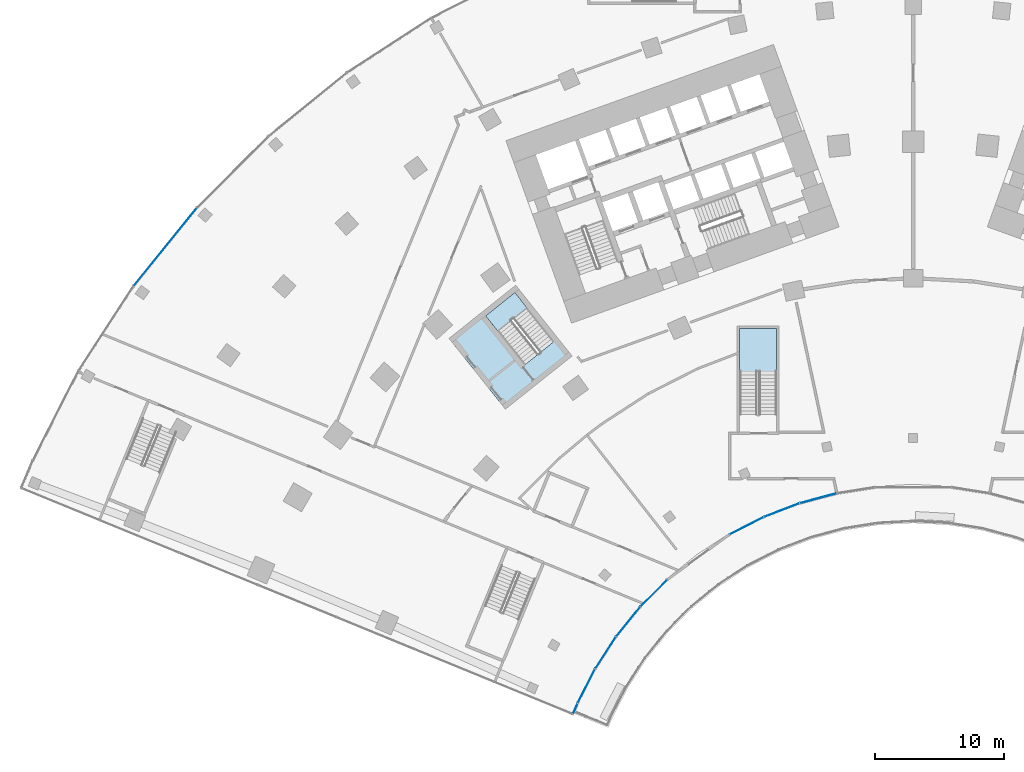
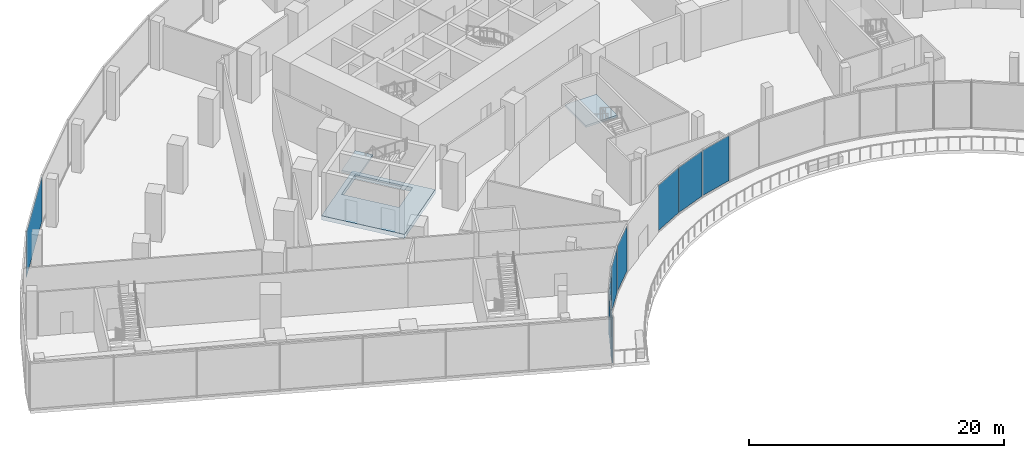
# One storey, part 18 of 39: 9 plates, 3 slabs, 4 elements without a shape of their own.
"""IFC4 building model written with IfcOpenShell, lengths in metres."""

from ifc_helpers import new_model, si_unit, direction, frame, origin, origin_2d, place, context, subcontext, project, spatial, polyline, rectangle, outline, extrude, material, layer, layer_set, type_object, element, aggregate, save


model = new_model("IFC4")

# Units and contexts
model_context = context("Model", 3, precision=1e-05, world=origin(), true_north=direction((0.0, 1.0)))
body_context = subcontext(model_context, "Body", "Model", "MODEL_VIEW")
ifc_project = project(units=[si_unit("LENGTHUNIT", "METRE"), si_unit("AREAUNIT", "SQUARE_METRE"), si_unit("VOLUMEUNIT", "CUBIC_METRE"), si_unit("PLANEANGLEUNIT", "RADIAN"), si_unit("MASSUNIT", "GRAM", prefix="KILO")], contexts=[model_context])

# Site, building, storey
site_placement = place(None, origin())
site = spatial("IfcSite", under=ifc_project, at=site_placement, CompositionType="ELEMENT")
building_placement = place(site_placement, origin())
building = spatial("IfcBuilding", under=site, at=building_placement, Name="Stone Belt Terrace Tower", CompositionType="ELEMENT")
storey_placement = place(building_placement, frame((0.0, 0.0, 20.800048828125)))
storey = spatial("IfcBuildingStorey", under=building, at=storey_placement, Name="L04", CompositionType="ELEMENT", Elevation=20.800048828125)

# Curtain wall, plates
ifc_material_1 = material(Name="Aluminium 6063-T6 anodised frame", Category="aluminium")
ifc_layer_1 = layer(ifc_material_1, 0.14990234375)
ifc_layer_set_1 = layer_set([ifc_layer_1], Name="CW-D podium shopfront")
curtain_wall_type = type_object("IfcCurtainWallType", Name="CW-D podium shopfront", PredefinedType="NOTDEFINED", material=ifc_layer_set_1)
curtain_wall_1_placement = place(storey_placement, origin())
curtain_wall_1 = element("IfcCurtainWall", 1, at=curtain_wall_1_placement, inside=storey, type_object=curtain_wall_type, Name="CW-D concave face L04", PredefinedType="NOTDEFINED")
ifc_material_2 = material(Name="Clear double glazed unit")
ifc_layer_2 = layer(ifc_material_2, 0.031982421875)
ifc_layer_set_2 = layer_set([ifc_layer_2], Name="CW-D glass panel 32")
plate_type = type_object("IfcPlateType", Name="CW-D glass panel 32", PredefinedType="CURTAIN_PANEL", material=ifc_layer_set_2)
plate_1_placement = place(storey_placement, frame((-26.141357421875, 11.15478515625, 0.14013671875), z_axis=(0.0, 0.0, 1.0), x_axis=(0.393033792222, 0.919524028056, 0.0)))
plate_1 = element("IfcPlate", 2, at=plate_1_placement, type_object=plate_type, Name="CW-D panel 1.1", PredefinedType="CURTAIN_PANEL", context=body_context, shape_type="SweptSolid", body=[
    extrude(rectangle(XDim=0.81689453125, YDim=0.031982421875, at=origin_2d()), origin(), (0.0, 0.0, 1.0), 4.320068359375),
])
plate_2_placement = place(storey_placement, frame((-25.292724609375, 12.8857421875, 0.14013671875), z_axis=(0.0, 0.0, 1.0), x_axis=(0.45399049974, 0.891006524188, 0.0)))
plate_2 = element("IfcPlate", 3, at=plate_2_placement, type_object=plate_type, Name="CW-D panel 2.1", PredefinedType="CURTAIN_PANEL", context=body_context, shape_type="SweptSolid", body=[
    extrude(rectangle(XDim=2.910400390625, YDim=0.031982421875, at=origin_2d()), origin(), (0.0, 0.0, 1.0), 4.320068359375),
])
plate_3_placement = place(storey_placement, frame((-23.806396484375, 15.460205078125, 0.14013671875), z_axis=(0.0, 0.0, 1.0), x_axis=(0.544639035015, 0.838670567945, 0.0)))
plate_3 = element("IfcPlate", 4, at=plate_3_placement, type_object=plate_type, Name="CW-D panel 3.1", PredefinedType="CURTAIN_PANEL", context=body_context, shape_type="SweptSolid", body=[
    extrude(rectangle(XDim=2.907470703125, YDim=0.031982421875, at=origin_2d()), origin(), (0.0, 0.0, 1.0), 4.320068359375),
])
plate_4_placement = place(storey_placement, frame((-22.06005859375, 17.86376953125, 0.14013671875), z_axis=(0.0, 0.0, 1.0), x_axis=(0.62932039105, 0.777145961457, 0.0)))
plate_4 = element("IfcPlate", 5, at=plate_4_placement, type_object=plate_type, Name="CW-D panel 4.1", PredefinedType="CURTAIN_PANEL", context=body_context, shape_type="SweptSolid", body=[
    extrude(rectangle(XDim=2.907470703125, YDim=0.031982421875, at=origin_2d()), origin(), (0.0, 0.0, 1.0), 4.320068359375),
])
plate_5_placement = place(storey_placement, frame((-20.0732421875, 20.070556640625, 0.14013671875), z_axis=(0.0, 0.0, 1.0), x_axis=(0.707106781187, 0.707106781187, 0.0)))
plate_5 = element("IfcPlate", 6, at=plate_5_placement, type_object=plate_type, Name="CW-D panel 5.1", PredefinedType="CURTAIN_PANEL", context=body_context, shape_type="SweptSolid", body=[
    extrude(rectangle(XDim=2.903564453125, YDim=0.031982421875, at=origin_2d()), origin(), (0.0, 0.0, 1.0), 4.320068359375),
])
plate_6_placement = place(storey_placement, frame((-12.88525390625, 25.29296875, 0.14013671875), z_axis=(0.0, 0.0, 1.0), x_axis=(0.891006524188, 0.45399049974, 0.0)))
plate_6 = element("IfcPlate", 7, at=plate_6_placement, type_object=plate_type, Name="CW-D panel 7.1", PredefinedType="CURTAIN_PANEL", context=body_context, shape_type="SweptSolid", body=[
    extrude(rectangle(XDim=2.903564453125, YDim=0.031982421875, at=origin_2d()), origin(), (0.0, 0.0, 1.0), 4.320068359375),
])
plate_7_placement = place(storey_placement, frame((-10.172607421875, 26.50048828125, 0.14013671875), z_axis=(0.0, 0.0, 1.0), x_axis=(0.933580426497, 0.358367949545, 0.0)))
plate_7 = element("IfcPlate", 8, at=plate_7_placement, type_object=plate_type, Name="CW-D panel 8.1", PredefinedType="CURTAIN_PANEL", context=body_context, shape_type="SweptSolid", body=[
    extrude(rectangle(XDim=2.907470703125, YDim=0.031982421875, at=origin_2d()), origin(), (0.0, 0.0, 1.0), 4.320068359375),
])
plate_8_placement = place(storey_placement, frame((-7.346923828125, 27.418701171875, 0.14013671875), z_axis=(0.0, 0.0, 1.0), x_axis=(0.965925826289, 0.258819045103, 0.0)))
plate_8 = element("IfcPlate", 9, at=plate_8_placement, type_object=plate_type, Name="CW-D panel 9.1", PredefinedType="CURTAIN_PANEL", context=body_context, shape_type="SweptSolid", body=[
    extrude(rectangle(XDim=2.907470703125, YDim=0.031982421875, at=origin_2d()), origin(), (0.0, 0.0, 1.0), 4.320068359375),
])
aggregate(curtain_wall_1, [plate_1, plate_2, plate_3, plate_4, plate_5, plate_6, plate_7, plate_8])

# Curtain wall, plate
curtain_wall_2_placement = place(storey_placement, origin())
curtain_wall_2 = element("IfcCurtainWall", 10, at=curtain_wall_2_placement, inside=storey, type_object=curtain_wall_type, Name="CW-D convex face L04", PredefinedType="NOTDEFINED")
plate_9_placement = place(storey_placement, frame((-57.876220703125, 46.867431640625, 0.14013671875), z_axis=(0.0, 0.0, 1.0), x_axis=(-0.62932039105, -0.777145961457, 0.0)))
plate_9 = element("IfcPlate", 11, at=plate_9_placement, type_object=plate_type, Name="CW-D panel 21.1", PredefinedType="CURTAIN_PANEL", context=body_context, shape_type="SweptSolid", body=[
    extrude(rectangle(XDim=7.738037109375, YDim=0.031982421875, at=origin_2d()), origin(), (0.0, 0.0, 1.0), 4.320068359375),
])
aggregate(curtain_wall_2, [plate_9])

# Slab
ifc_material_3 = material(Name="Concrete B40", Category="concrete")
ifc_layer_3 = layer(ifc_material_3, 0.39990234375)
ifc_layer_set_3 = layer_set([ifc_layer_3], Name="Core floor slab 400")
slab_type_1 = type_object("IfcSlabType", Name="Core floor slab 400", PredefinedType="FLOOR", material=ifc_layer_set_3)
slab_1_placement = place(storey_placement, frame((0.0, 0.0, -0.400146484375)))
element("IfcSlab", 12, at=slab_1_placement, inside=storey, type_object=slab_type_1, Name="Exit stair ST3A floor L04", PredefinedType="FLOOR", context=body_context, shape_type="SweptSolid", body=[
    extrude(outline(polyline([(-26.39404296875, 38.425048828125), (-30.756103515625, 43.89990234375), (-35.91796875, 39.787109375), (-31.555908203125, 34.31298828125), (-26.39404296875, 38.425048828125)]), holes=[polyline([(-27.798095703125, 39.544921875), (-30.06591796875, 37.738037109375), (-33.087890625, 41.531005859375), (-30.820068359375, 43.337890625), (-27.798095703125, 39.544921875)])]), origin(), (0.0, 0.0, 1.0), 0.400146484375),
])

# Stair, slab
ifc_material_4 = material(Name="Concrete B30", Category="concrete")
stair_type_1 = type_object("IfcStairType", Name="Podium stair concrete B30", PredefinedType="HALF_TURN_STAIR", material=ifc_material_4)
stair_1_placement = place(storey_placement, origin())
stair_1 = element("IfcStair", 13, at=stair_1_placement, inside=storey, type_object=stair_type_1, Name="L04 podium exit stair 5", PredefinedType="HALF_TURN_STAIR")
ifc_layer_4 = layer(ifc_material_4, 0.199951171875)
ifc_layer_set_4 = layer_set([ifc_layer_4], Name="Podium stair landing concrete B30")
slab_type_2 = type_object("IfcSlabType", Name="Podium stair landing concrete B30", PredefinedType="LANDING", material=ifc_layer_set_4)
slab_2_placement = place(storey_placement, frame((0.0, 0.0, 2.099853515625)))
slab_2 = element("IfcSlab", 14, at=slab_2_placement, type_object=slab_type_2, Name="PS5 landing 1", PredefinedType="LANDING", context=body_context, shape_type="SweptSolid", body=[
    extrude(outline(polyline([(-10.574951171875, 37.2470703125), (-10.574951171875, 40.56005859375), (-13.425048828125, 40.56005859375), (-13.425048828125, 37.2470703125), (-10.574951171875, 37.2470703125)])), origin(), (0.0, 0.0, 1.0), 0.2001953125),
])
aggregate(stair_1, [slab_2])

stair_type_2 = type_object("IfcStairType", Name="Exit stair 1500", PredefinedType="HALF_TURN_STAIR", material=ifc_material_3)
stair_2_placement = place(storey_placement, origin())
stair_2 = element("IfcStair", 15, at=stair_2_placement, inside=storey, type_object=stair_type_2, Name="L04 Exit stair 3A", PredefinedType="HALF_TURN_STAIR")
ifc_layer_5 = layer(ifc_material_3, 0.199951171875)
ifc_layer_set_5 = layer_set([ifc_layer_5], Name="Stair landing 200")
slab_type_3 = type_object("IfcSlabType", Name="Stair landing 200", PredefinedType="LANDING", material=ifc_layer_set_5)
slab_3_placement = place(storey_placement, frame((0.0, 0.0, 2.099853515625)))
slab_3 = element("IfcSlab", 16, at=slab_3_placement, type_object=slab_type_3, Name="ST3A landing 1", PredefinedType="LANDING", context=body_context, shape_type="SweptSolid", body=[
    extrude(outline(polyline([(-29.890625, 42.171875), (-30.819580078125, 43.337890625), (-33.087646484375, 41.53076171875), (-32.15869140625, 40.36474609375), (-29.890625, 42.171875)])), origin(), (0.0, 0.0, 1.0), 0.2001953125),
])
aggregate(stair_2, [slab_3])

save(model, "model.ifc")
